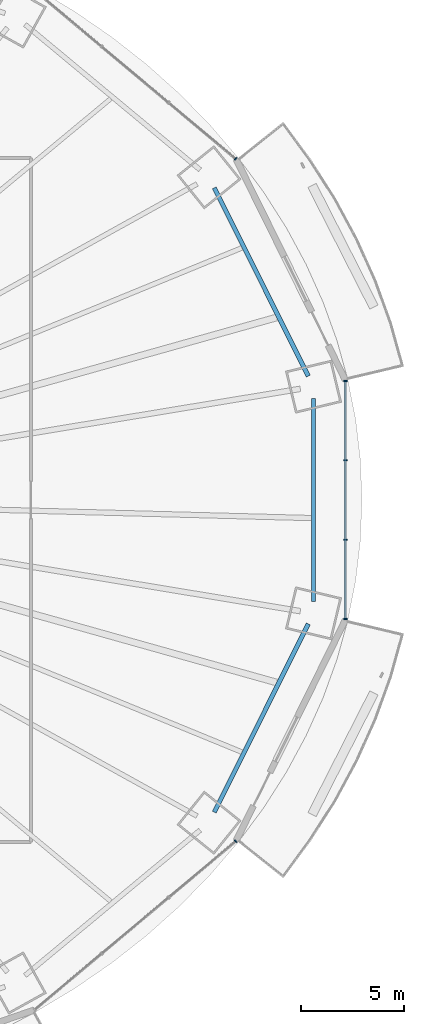
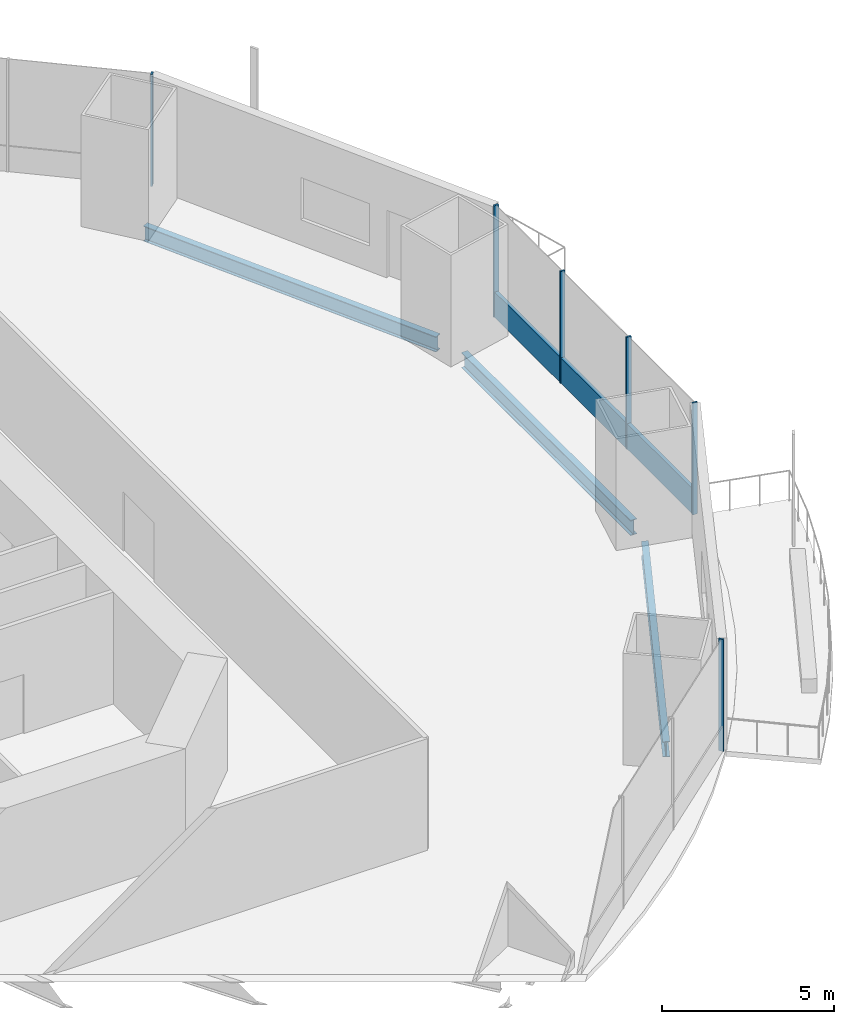
# One storey, part 11 of 22: 7 members, 3 beams, 3 elements without a shape of their own.
"""IFC4 building model written with IfcOpenShell, lengths in metres."""

import ifcopenshell
import ifcopenshell.guid

model = None  # the IFC model being written
_history = None  # IfcOwnerHistory: only IFC2X3 demands one
_inside = {}  # id of a spatial element -> (the spatial element, [elements in it])
_under = {}  # id of a project, library or spatial element -> (it, [spatial elements below it])
_declared = {}  # id of a project -> (the project, [libraries it declares])
_typed = {}  # id of a type object -> (the type object, [elements of that type])
_made_of = {}  # id of a material, layer set ... -> (it, [elements and type objects made of it])


def new_model(schema):
    """Start an empty IFC model of exactly this schema.

    Asked for "IFC4X3", IfcOpenShell would pick the latest addendum, in which some entities
    have other attributes; the version numbers below select the first issue.
    IFC2X3 requires an IfcOwnerHistory on every rooted entity: one is made here for all.
    """
    global model, _history
    if schema == "IFC4X3":
        model = ifcopenshell.file(schema_version=(4, 3, 0, 0))
    else:
        model = ifcopenshell.file(schema=schema)
    _inside.clear()
    _under.clear()
    _declared.clear()
    _typed.clear()
    _made_of.clear()
    _history = None
    if model.schema == "IFC2X3":
        org = make("IfcOrganization", Name="unknown")
        user = make(
            "IfcPersonAndOrganization",
            ThePerson=make("IfcPerson", FamilyName="unknown"),
            TheOrganization=org,
        )
        app = make(
            "IfcApplication",
            ApplicationDeveloper=org,
            Version="unknown",
            ApplicationFullName="unknown",
            ApplicationIdentifier="unknown",
        )
        _history = make(
            "IfcOwnerHistory",
            OwningUser=user,
            OwningApplication=app,
            ChangeAction="ADDED",
            CreationDate=0,
        )
    return model


def make(cls, **values):
    """One entity of the class cls with the attributes given. An attribute that is None is left unset."""
    return model.create_entity(
        cls, **{name: value for name, value in values.items() if value is not None}
    )


def rooted(cls, **values):
    """An entity with a GlobalId (a new one), such as an element, a storey or a relation."""
    return make(cls, GlobalId=ifcopenshell.guid.new(), OwnerHistory=_history, **values)


def si_unit(unit_type, name, prefix=None):
    """IfcSIUnit, for example si_unit("LENGTHUNIT", "METRE", prefix="MILLI")."""
    return make("IfcSIUnit", UnitType=unit_type, Prefix=prefix, Name=name)


def assignment(units):
    """IfcUnitAssignment: the units of a project."""
    return None if units is None else make("IfcUnitAssignment", Units=units)


def point(xyz):
    """IfcCartesianPoint."""
    return None if xyz is None else make("IfcCartesianPoint", Coordinates=xyz)


def direction(xyz):
    """IfcDirection."""
    return None if xyz is None else make("IfcDirection", DirectionRatios=xyz)


def frame(location, z_axis=None, x_axis=None):
    """IfcAxis2Placement3D, a coordinate frame: its origin and axes. An axis left out is left unset."""
    return make(
        "IfcAxis2Placement3D",
        Location=point(location),
        Axis=direction(z_axis),
        RefDirection=direction(x_axis),
    )


def frame_2d(location, x_axis=None):
    """IfcAxis2Placement2D, a coordinate frame in the plane: its origin and x axis."""
    return make(
        "IfcAxis2Placement2D", Location=point(location), RefDirection=direction(x_axis)
    )


def origin():
    """The frame at (0, 0, 0) with its axes left unset."""
    return frame((0.0, 0.0, 0.0))


def origin_2d():
    """The frame at (0, 0) in the plane with its x axis left unset."""
    return frame_2d((0.0, 0.0))


def place(relative_to, where):
    """IfcLocalPlacement: puts the frame where relative to a parent placement (None: the world)."""
    return make(
        "IfcLocalPlacement", PlacementRelTo=relative_to, RelativePlacement=where
    )


def context(
    kind, dimensions, precision=None, world=None, true_north=None, identifier=None
):
    """IfcGeometricRepresentationContext, for example the 3D "Model" context."""
    return make(
        "IfcGeometricRepresentationContext",
        ContextIdentifier=identifier,
        ContextType=kind,
        CoordinateSpaceDimension=dimensions,
        Precision=precision,
        WorldCoordinateSystem=world,
        TrueNorth=true_north,
    )


def subcontext(parent, identifier, kind, view, scale=None):
    """IfcGeometricRepresentationSubContext, for example "Body" below "Model"."""
    return make(
        "IfcGeometricRepresentationSubContext",
        ContextIdentifier=identifier,
        ContextType=kind,
        ParentContext=parent,
        TargetScale=scale,
        TargetView=view,
    )


def project(units=None, contexts=None):
    """IfcProject with its units and contexts."""
    return rooted(
        "IfcProject",
        Name="project",
        RepresentationContexts=contexts,
        UnitsInContext=assignment(units),
    )


def spatial(cls, under=None, at=None, **own):
    """A site, building, storey or space (cls), placed at a placement, below another one or the project."""
    s = rooted(cls, ObjectPlacement=at, **own)
    if under is not None:
        _under.setdefault(under.id(), (under, []))[1].append(s)
    return s


def profile(cls, at=None, kind="AREA", **sizes):
    """A parametric profile (cls). Its sizes go by their IFC names, for example OverallWidth=200.0."""
    return make(cls, ProfileType=kind, Position=at, **sizes)


def rectangle(**sizes):
    """IfcRectangleProfileDef."""
    return profile("IfcRectangleProfileDef", **sizes)


def i_section(**sizes):
    """IfcIShapeProfileDef."""
    return profile("IfcIShapeProfileDef", **sizes)


def extrude(swept, where, along, depth):
    """IfcExtrudedAreaSolid: the profile swept, set in the frame where, extruded along a direction by depth."""
    return make(
        "IfcExtrudedAreaSolid",
        SweptArea=swept,
        Position=where,
        ExtrudedDirection=direction(along),
        Depth=depth,
    )


def shape(context_of_items, identifier, shape_type, items):
    """IfcShapeRepresentation: the items that make up one representation, for example the "Body"."""
    return make(
        "IfcShapeRepresentation",
        ContextOfItems=context_of_items,
        RepresentationIdentifier=identifier,
        RepresentationType=shape_type,
        Items=items,
    )


def material(Name=None, Category=None):
    """IfcMaterial."""
    return make("IfcMaterial", Name=Name, Category=Category)


def material_profile(
    of_material, cross_section, Name=None, Category=None, Priority=None
):
    """IfcMaterialProfile: a cross section and its material."""
    return make(
        "IfcMaterialProfile",
        Name=Name,
        Material=of_material,
        Profile=cross_section,
        Priority=Priority,
        Category=Category,
    )


def profile_set(profiles, Name=None, composite=None):
    """IfcMaterialProfileSet."""
    return make(
        "IfcMaterialProfileSet",
        Name=Name,
        MaterialProfiles=profiles,
        CompositeProfile=composite,
    )


def made_of(thing, what):
    """Note that an element or type object is made of a material, layer set ...; save() writes the relation."""
    if what is not None:
        _made_of.setdefault(what.id(), (what, []))[1].append(thing)
    return thing


def type_object(cls, material=None, **own):
    """A type object (cls), such as IfcWallType, which elements share."""
    return made_of(rooted(cls, **own), material)


def element(
    cls,
    number,
    at=None,
    inside=None,
    cuts=None,
    type_object=None,
    material=None,
    context=None,
    identifier="Body",
    shape_type=None,
    held_by="IfcProductDefinitionShape",
    body=None,
    shapes=None,
    **own,
):
    """One element of the class cls, such as IfcWall. Its Tag is "e" and its number.

    at: its placement. inside: the storey or other place that contains it. cuts: it is an
    opening in that element (IfcRelVoidsElement). A single representation is given by context,
    identifier, shape_type and body (its items); several are given by shapes. held_by: the class
    of the entity that holds the representations. save() writes the other relations.
    """
    e = rooted(cls, Tag="e%d" % number, ObjectPlacement=at, **own)
    if body is not None:
        shapes = [shape(context, identifier, shape_type, body)]
    if shapes is not None:
        e.Representation = make(held_by, Representations=shapes)
    if inside is not None:
        _inside.setdefault(inside.id(), (inside, []))[1].append(e)
    if cuts is not None:
        rooted(
            "IfcRelVoidsElement", RelatingBuildingElement=cuts, RelatedOpeningElement=e
        )
    if type_object is not None:
        _typed.setdefault(type_object.id(), (type_object, []))[1].append(e)
    return made_of(e, material)


def aggregate(whole, parts):
    """IfcRelAggregates: a whole, such as a stair, and the parts it consists of."""
    return rooted("IfcRelAggregates", RelatingObject=whole, RelatedObjects=parts)


def save(model, path):
    """Write the relations noted so far, then the file.

    IfcRelAggregates (storeys below a building ...), IfcRelContainedInSpatialStructure (elements
    in a storey), IfcRelDefinesByType, IfcRelAssociatesMaterial and IfcRelDeclares: one each for
    every whole, place, type object, material and project.
    """
    for whole, parts in _under.values():
        aggregate(whole, parts)
    for where, things in _inside.values():
        rooted(
            "IfcRelContainedInSpatialStructure",
            RelatedElements=things,
            RelatingStructure=where,
        )
    for kind, things in _typed.values():
        rooted("IfcRelDefinesByType", RelatedObjects=things, RelatingType=kind)
    for what, things in _made_of.values():
        rooted("IfcRelAssociatesMaterial", RelatedObjects=things, RelatingMaterial=what)
    for by, libraries in _declared.values():
        rooted("IfcRelDeclares", RelatingContext=by, RelatedDefinitions=libraries)
    model.write(path)


model = new_model("IFC4")

# Units and contexts
model_context = context("Model", 3, precision=1e-05, world=origin(), true_north=direction((0.0, 1.0)))
body_context = subcontext(model_context, "Body", "Model", "MODEL_VIEW")
ifc_project = project(units=[si_unit("LENGTHUNIT", "METRE"), si_unit("AREAUNIT", "SQUARE_METRE"), si_unit("VOLUMEUNIT", "CUBIC_METRE"), si_unit("PLANEANGLEUNIT", "RADIAN"), si_unit("MASSUNIT", "GRAM", prefix="KILO")], contexts=[model_context])

# Site, building, storey
site_placement = place(None, origin())
site = spatial("IfcSite", under=ifc_project, at=site_placement, CompositionType="ELEMENT")
building_placement = place(site_placement, origin())
building = spatial("IfcBuilding", under=site, at=building_placement, Name="Marenthal Gate Tower", CompositionType="ELEMENT")
storey_placement = place(building_placement, frame((0.0, 0.0, 70.35009765625)))
storey = spatial("IfcBuildingStorey", under=building, at=storey_placement, Name="L13", CompositionType="ELEMENT", Elevation=70.35009765625)

# Curtain wall, member
ifc_material_1 = material(Name="Aluminium and glass", Category="aluminium")
curtain_wall_type = type_object("IfcCurtainWallType", Name="Curtain wall typical low", PredefinedType="NOTDEFINED", material=ifc_material_1)
curtain_wall_1_placement = place(storey_placement, origin())
curtain_wall_1 = element("IfcCurtainWall", 1, at=curtain_wall_1_placement, inside=storey, type_object=curtain_wall_type, Name="Curtain wall L13 bay 2", PredefinedType="NOTDEFINED")
ifc_material_2 = material(Name="Aluminium", Category="aluminium")
ifc_material_profile_1 = material_profile(ifc_material_2, rectangle(XDim=0.159912109375, YDim=0.06005859375, at=origin_2d()), Name="60x160 aluminium mullion")
ifc_profile_set_1 = profile_set([ifc_material_profile_1], Name="Aluminium")
member_type_1 = type_object("IfcMemberType", Name="Mullion 60x160 typical low", PredefinedType="MULLION", material=ifc_profile_set_1)
member_1_placement = place(storey_placement, frame((29.5380859375, 16.56640625, 0.0), z_axis=(0.0, 0.0, 1.0), x_axis=(-0.642176178992, -0.76655707885, 0.0)))
member_1 = element("IfcMember", 2, at=member_1_placement, type_object=member_type_1, Name="Mullion L13 bay 2.1", PredefinedType="MULLION", context=body_context, shape_type="SweptSolid", body=[
    extrude(rectangle(XDim=0.159912109375, YDim=0.06005859375, at=origin_2d()), origin(), (0.0, 0.0, 1.0), 3.969970703125),
])
aggregate(curtain_wall_1, [member_1])

curtain_wall_2_placement = place(storey_placement, origin())
curtain_wall_2 = element("IfcCurtainWall", 3, at=curtain_wall_2_placement, inside=storey, type_object=curtain_wall_type, Name="Curtain wall L13 bay 14", PredefinedType="NOTDEFINED")
member_2_placement = place(storey_placement, frame((29.538330078125, -16.56640625, 0.0), z_axis=(0.0, 0.0, 1.0), x_axis=(-0.642176178992, 0.76655707885, 0.0)))
member_2 = element("IfcMember", 4, at=member_2_placement, type_object=member_type_1, Name="Mullion L13 bay 14.4", PredefinedType="MULLION", context=body_context, shape_type="SweptSolid", body=[
    extrude(rectangle(XDim=0.159912109375, YDim=0.06005859375, at=origin_2d()), origin(), (0.0, 0.0, 1.0), 3.969970703125),
])
aggregate(curtain_wall_2, [member_2])

# Curtain wall, members
curtain_wall_3_placement = place(storey_placement, origin())
curtain_wall_3 = element("IfcCurtainWall", 5, at=curtain_wall_3_placement, inside=storey, type_object=curtain_wall_type, Name="Curtain wall L13 bay 16", PredefinedType="NOTDEFINED")
member_3_placement = place(storey_placement, frame((34.869873046875, -5.780517578125, 0.0), z_axis=(0.0, 0.0, 1.0), x_axis=(-1.0, 0.0, 0.0)))
member_3 = element("IfcMember", 6, at=member_3_placement, type_object=member_type_1, Name="Mullion L13 bay 16.1", PredefinedType="MULLION", context=body_context, shape_type="SweptSolid", body=[
    extrude(rectangle(XDim=0.159912109375, YDim=0.06005859375, at=origin_2d()), origin(), (0.0, 0.0, 1.0), 3.969970703125),
])
member_4_placement = place(storey_placement, frame((34.869873046875, -1.927001953125, 0.0), z_axis=(0.0, 0.0, 1.0), x_axis=(-1.0, 0.0, 0.0)))
member_4 = element("IfcMember", 7, at=member_4_placement, type_object=member_type_1, Name="Mullion L13 bay 16.2", PredefinedType="MULLION", context=body_context, shape_type="SweptSolid", body=[
    extrude(rectangle(XDim=0.159912109375, YDim=0.06005859375, at=origin_2d()), origin(), (0.0, 0.0, 1.0), 3.969970703125),
])
member_5_placement = place(storey_placement, frame((34.869873046875, 1.927001953125, 0.0), z_axis=(0.0, 0.0, 1.0), x_axis=(-1.0, 0.0, 0.0)))
member_5 = element("IfcMember", 8, at=member_5_placement, type_object=member_type_1, Name="Mullion L13 bay 16.3", PredefinedType="MULLION", context=body_context, shape_type="SweptSolid", body=[
    extrude(rectangle(XDim=0.159912109375, YDim=0.06005859375, at=origin_2d()), origin(), (0.0, 0.0, 1.0), 3.969970703125),
])
member_6_placement = place(storey_placement, frame((34.869873046875, 5.780517578125, 0.0), z_axis=(0.0, 0.0, 1.0), x_axis=(-1.0, 0.0, 0.0)))
member_6 = element("IfcMember", 9, at=member_6_placement, type_object=member_type_1, Name="Mullion L13 bay 16.4", PredefinedType="MULLION", context=body_context, shape_type="SweptSolid", body=[
    extrude(rectangle(XDim=0.159912109375, YDim=0.06005859375, at=origin_2d()), origin(), (0.0, 0.0, 1.0), 3.969970703125),
])
ifc_material_3 = material(Name="Aluminium", Category="aluminium")
ifc_material_profile_2 = material_profile(ifc_material_3, rectangle(XDim=0.1201171875, YDim=0.89990234375, at=origin_2d()), Name="120x900 aluminium transom")
ifc_profile_set_2 = profile_set([ifc_material_profile_2], Name="Aluminium")
member_type_2 = type_object("IfcMemberType", Name="Transom 120x900 typical low", PredefinedType="USERDEFINED", material=ifc_profile_set_2)
member_7_placement = place(storey_placement, frame((34.869873046875, -5.75048828125, 0.449951171875), z_axis=(0.0, 1.0, 0.0), x_axis=(-1.0, 0.0, 0.0)))
member_7 = element("IfcMember", 10, at=member_7_placement, type_object=member_type_2, Name="Transom L13 bay 16", ObjectType="TRANSOM", PredefinedType="USERDEFINED", context=body_context, shape_type="SweptSolid", body=[
    extrude(rectangle(XDim=0.1201171875, YDim=0.89990234375, at=origin_2d()), origin(), (0.0, 0.0, 1.0), 11.5009765625),
])
aggregate(curtain_wall_3, [member_3, member_4, member_5, member_6, member_7])

# Beams
ifc_material_4 = material(Name="Steel S355", Category="steel")
ifc_material_profile_3 = material_profile(ifc_material_4, i_section(OverallWidth=0.2119140625, OverallDepth=0.5439453125, WebThickness=0.01318359375, FlangeThickness=0.021240234375, FilletRadius=0.0126953125, at=origin_2d()), Name="W530X123")
ifc_profile_set_3 = profile_set([ifc_material_profile_3], Name="Steel S355")
beam_type = type_object("IfcBeamType", Name="W530X123 beam", PredefinedType="BEAM", material=ifc_profile_set_3)
for number, where, z_axis, x_axis, name in (
    (11, (33.062255859375, 6.019287109375, -0.4521484375), (-0.446448228661, 0.894809465264, 0.0), (-0.894809465264, -0.446448228661, 0.0), "BM-L13-41"),
    (12, (28.504150390625, -15.155029296875, -0.4521484375), (0.446448228661, 0.894809465264, 0.0), (-0.894809465264, 0.446448228661, 0.0), "BM-L13-55"),
):
    element("IfcBeam", number, at=place(storey_placement, frame(where, z_axis=z_axis, x_axis=x_axis)), inside=storey, type_object=beam_type, Name=name, PredefinedType="BEAM", context=body_context, shape_type="SweptSolid", body=[
        extrude(i_section(OverallWidth=0.2119140625, OverallDepth=0.5439453125, WebThickness=0.01318359375, FlangeThickness=0.021240234375, FilletRadius=0.0126953125, at=origin_2d()), origin(), (0.0, 0.0, 1.0), 10.209716796875),
    ])
beam_placement = place(storey_placement, frame((33.3203125, -4.922607421875, -0.4521484375), z_axis=(0.0, 1.0, 0.0), x_axis=(-1.0, 0.0, 0.0)))
element("IfcBeam", 13, at=beam_placement, inside=storey, type_object=beam_type, Name="BM-L13-56", PredefinedType="BEAM", context=body_context, shape_type="SweptSolid", body=[
    extrude(i_section(OverallWidth=0.2119140625, OverallDepth=0.5439453125, WebThickness=0.01318359375, FlangeThickness=0.021240234375, FilletRadius=0.0126953125, at=origin_2d()), origin(), (0.0, 0.0, 1.0), 9.84521484375),
])

save(model, "model.ifc")
